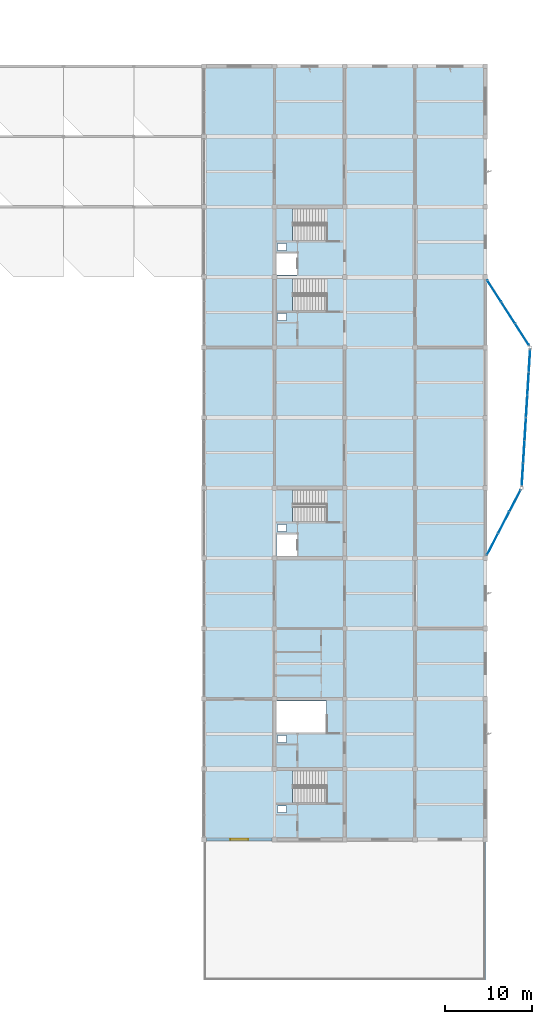
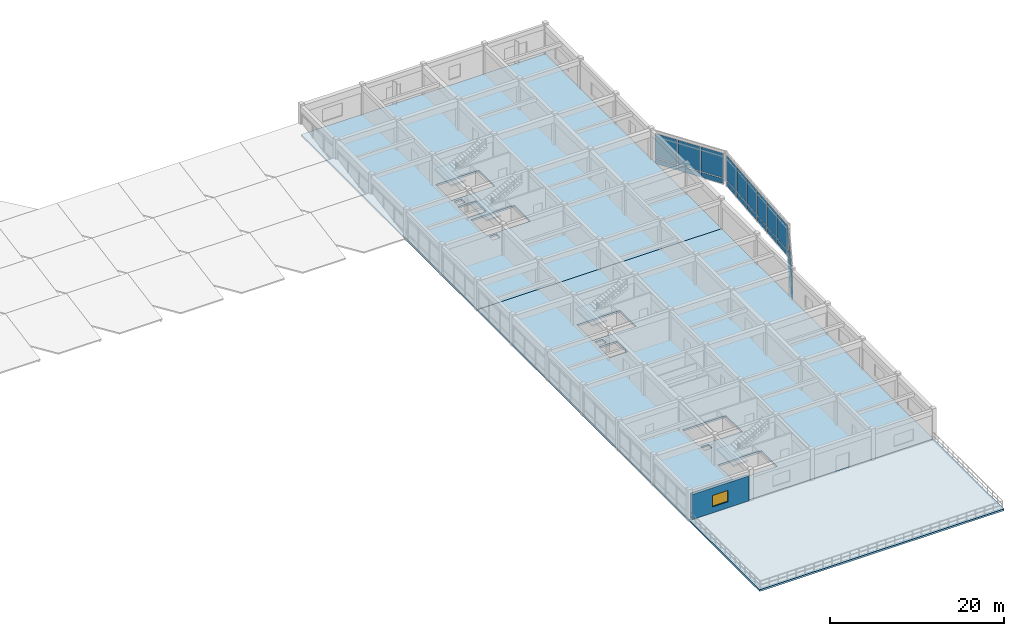
# One storey, part 24 of 33: 24 plates, 7 slabs, 1 wall, 1 window, 1 opening, 8 elements without a shape of their own.
"""IFC4 building model written with IfcOpenShell, lengths in metres."""

from ifc_helpers import new_model, si_unit, direction, frame, frame_2d, origin, origin_2d, place, context, subcontext, project, spatial, polyline, rectangle, outline, extrude, material, layer, layer_set, type_object, element, fill, aggregate, save


model = new_model("IFC4")

# Units and contexts
model_context = context("Model", 3, precision=1e-05, world=origin(), true_north=direction((0.0, 1.0)))
body_context = subcontext(model_context, "Body", "Model", "MODEL_VIEW")
ifc_project = project(units=[si_unit("LENGTHUNIT", "METRE"), si_unit("AREAUNIT", "SQUARE_METRE"), si_unit("VOLUMEUNIT", "CUBIC_METRE"), si_unit("PLANEANGLEUNIT", "RADIAN"), si_unit("MASSUNIT", "GRAM", prefix="KILO")], contexts=[model_context])

# Site, building, storey
site_placement = place(None, origin())
site = spatial("IfcSite", under=ifc_project, at=site_placement, CompositionType="ELEMENT")
building_placement = place(site_placement, origin())
building = spatial("IfcBuilding", under=site, at=building_placement, Name="Vaudrelin Polytechnic", CompositionType="ELEMENT")
storey_placement = place(building_placement, frame((0.0, 0.0, 27.3701171875)))
storey = spatial("IfcBuildingStorey", under=building, at=storey_placement, Name="L06", CompositionType="ELEMENT", Elevation=27.3701171875)

# Curtain wall, plates
ifc_material_1 = material(Name="Thermally broken anodised aluminium AA 6063-T6 and low-e triple glazing", Category="aluminium")
ifc_layer_1 = layer(ifc_material_1, 0.199951171875)
ifc_layer_set_1 = layer_set([ifc_layer_1], Name="Thermally broken anodised aluminium AA 6063-T6 and low-e triple glazing")
curtain_wall_type = type_object("IfcCurtainWallType", Name="CW-CW-LAB", PredefinedType="USERDEFINED", material=ifc_layer_set_1)
curtain_wall_1_placement = place(storey_placement, origin())
curtain_wall_1 = element("IfcCurtainWall", 1, at=curtain_wall_1_placement, inside=storey, type_object=curtain_wall_type, Name="Curtain wall L06 E_OR2_1_0", ObjectType="CURTAIN WALL", PredefinedType="USERDEFINED")
ifc_material_2 = material(Name="Insulated ceramic-frit spandrel glass panel", Category="glass")
ifc_layer_2 = layer(ifc_material_2, 0.052001953125)
ifc_layer_set_2 = layer_set([ifc_layer_2], Name="Insulated ceramic-frit spandrel glass panel")
plate_type_1 = type_object("IfcPlateType", Name="PLT-GLZ-SPAND", PredefinedType="CURTAIN_PANEL", material=ifc_layer_set_2)
plate_1_placement = place(storey_placement, frame((170.931640625, 66.404052734375, -0.5400390625), z_axis=(0.0, 0.0, 1.0), x_axis=(0.460323021208, 0.887751494589, 0.0)))
plate_1 = element("IfcPlate", 2, at=plate_1_placement, type_object=plate_type_1, Name="E_OR2_1_0 spandrel panel 1", PredefinedType="CURTAIN_PANEL", context=body_context, shape_type="SweptSolid", body=[
    extrude(rectangle(XDim=2.72412109375, YDim=0.052001953125, at=origin_2d()), origin(), (0.0, 0.0, 1.0), 0.699951171875),
])
plate_2_placement = place(storey_placement, frame((172.231689453125, 68.9111328125, -0.5400390625), z_axis=(0.0, 0.0, 1.0), x_axis=(0.460323021208, 0.887751494589, 0.0)))
plate_2 = element("IfcPlate", 3, at=plate_2_placement, type_object=plate_type_1, Name="E_OR2_1_0 spandrel panel 2", PredefinedType="CURTAIN_PANEL", context=body_context, shape_type="SweptSolid", body=[
    extrude(rectangle(XDim=2.72412109375, YDim=0.052001953125, at=origin_2d()), origin(), (0.0, 0.0, 1.0), 0.699951171875),
])
plate_3_placement = place(storey_placement, frame((173.53173828125, 71.41845703125, -0.5400390625), z_axis=(0.0, 0.0, 1.0), x_axis=(0.460323021208, 0.887751494589, 0.0)))
plate_3 = element("IfcPlate", 4, at=plate_3_placement, type_object=plate_type_1, Name="E_OR2_1_0 spandrel panel 3", PredefinedType="CURTAIN_PANEL", context=body_context, shape_type="SweptSolid", body=[
    extrude(rectangle(XDim=2.72412109375, YDim=0.052001953125, at=origin_2d()), origin(), (0.0, 0.0, 1.0), 0.699951171875),
])

curtain_wall_2_placement = place(storey_placement, origin())
curtain_wall_2 = element("IfcCurtainWall", 5, at=curtain_wall_2_placement, inside=storey, type_object=curtain_wall_type, Name="Curtain wall L06 E_OR2_2_0", ObjectType="CURTAIN WALL", PredefinedType="USERDEFINED")
plate_4_placement = place(storey_placement, frame((174.3955078125, 74.44775390625, -0.5400390625), z_axis=(0.0, 0.0, 1.0), x_axis=(0.061604568165, 0.998100634797, 0.0)))
plate_4 = element("IfcPlate", 6, at=plate_4_placement, type_object=plate_type_1, Name="E_OR2_2_0 spandrel panel 1", PredefinedType="CURTAIN_PANEL", context=body_context, shape_type="SweptSolid", body=[
    extrude(rectangle(XDim=2.52587890625, YDim=0.052001953125, at=origin_2d()), origin(), (0.0, 0.0, 1.0), 0.699951171875),
])
plate_5_placement = place(storey_placement, frame((174.557373046875, 77.068603515625, -0.5400390625), z_axis=(0.0, 0.0, 1.0), x_axis=(0.061604568165, 0.998100634797, 0.0)))
plate_5 = element("IfcPlate", 7, at=plate_5_placement, type_object=plate_type_1, Name="E_OR2_2_0 spandrel panel 2", PredefinedType="CURTAIN_PANEL", context=body_context, shape_type="SweptSolid", body=[
    extrude(rectangle(XDim=2.52587890625, YDim=0.052001953125, at=origin_2d()), origin(), (0.0, 0.0, 1.0), 0.699951171875),
])
plate_6_placement = place(storey_placement, frame((174.718994140625, 79.689453125, -0.5400390625), z_axis=(0.0, 0.0, 1.0), x_axis=(0.061604568165, 0.998100634797, 0.0)))
plate_6 = element("IfcPlate", 8, at=plate_6_placement, type_object=plate_type_1, Name="E_OR2_2_0 spandrel panel 3", PredefinedType="CURTAIN_PANEL", context=body_context, shape_type="SweptSolid", body=[
    extrude(rectangle(XDim=2.52587890625, YDim=0.052001953125, at=origin_2d()), origin(), (0.0, 0.0, 1.0), 0.699951171875),
])

curtain_wall_3_placement = place(storey_placement, origin())
curtain_wall_3 = element("IfcCurtainWall", 9, at=curtain_wall_3_placement, inside=storey, type_object=curtain_wall_type, Name="Curtain wall L06 E_OR2_2_1", ObjectType="CURTAIN WALL", PredefinedType="USERDEFINED")
plate_7_placement = place(storey_placement, frame((174.880859375, 82.310546875, -0.5400390625), z_axis=(0.0, 0.0, 1.0), x_axis=(0.061604568165, 0.998100634797, 0.0)))
plate_7 = element("IfcPlate", 10, at=plate_7_placement, type_object=plate_type_1, Name="E_OR2_2_1 spandrel panel 1", PredefinedType="CURTAIN_PANEL", context=body_context, shape_type="SweptSolid", body=[
    extrude(rectangle(XDim=2.52587890625, YDim=0.052001953125, at=origin_2d()), origin(), (0.0, 0.0, 1.0), 0.699951171875),
])
plate_8_placement = place(storey_placement, frame((175.042724609375, 84.931396484375, -0.5400390625), z_axis=(0.0, 0.0, 1.0), x_axis=(0.061604568165, 0.998100634797, 0.0)))
plate_8 = element("IfcPlate", 11, at=plate_8_placement, type_object=plate_type_1, Name="E_OR2_2_1 spandrel panel 2", PredefinedType="CURTAIN_PANEL", context=body_context, shape_type="SweptSolid", body=[
    extrude(rectangle(XDim=2.52587890625, YDim=0.052001953125, at=origin_2d()), origin(), (0.0, 0.0, 1.0), 0.699951171875),
])
plate_9_placement = place(storey_placement, frame((175.204345703125, 87.55224609375, -0.5400390625), z_axis=(0.0, 0.0, 1.0), x_axis=(0.061604568165, 0.998100634797, 0.0)))
plate_9 = element("IfcPlate", 12, at=plate_9_placement, type_object=plate_type_1, Name="E_OR2_2_1 spandrel panel 3", PredefinedType="CURTAIN_PANEL", context=body_context, shape_type="SweptSolid", body=[
    extrude(rectangle(XDim=2.52587890625, YDim=0.052001953125, at=origin_2d()), origin(), (0.0, 0.0, 1.0), 0.699951171875),
])

curtain_wall_4_placement = place(storey_placement, origin())
curtain_wall_4 = element("IfcCurtainWall", 13, at=curtain_wall_4_placement, inside=storey, type_object=curtain_wall_type, Name="Curtain wall L06 E_OR2_3_0", ObjectType="CURTAIN WALL", PredefinedType="USERDEFINED")
plate_10_placement = place(storey_placement, frame((174.3505859375, 90.578857421875, -0.5400390625), z_axis=(0.0, 0.0, 1.0), x_axis=(-0.540228204344, 0.841518560242, 0.0)))
plate_10 = element("IfcPlate", 14, at=plate_10_placement, type_object=plate_type_1, Name="E_OR2_3_0 spandrel panel 1", PredefinedType="CURTAIN_PANEL", context=body_context, shape_type="SweptSolid", body=[
    extrude(rectangle(XDim=2.882568359375, YDim=0.052001953125, at=origin_2d()), origin(), (0.0, 0.0, 1.0), 0.699951171875),
])
plate_11_placement = place(storey_placement, frame((172.739501953125, 93.0888671875, -0.5400390625), z_axis=(0.0, 0.0, 1.0), x_axis=(-0.540228204344, 0.841518560242, 0.0)))
plate_11 = element("IfcPlate", 15, at=plate_11_placement, type_object=plate_type_1, Name="E_OR2_3_0 spandrel panel 2", PredefinedType="CURTAIN_PANEL", context=body_context, shape_type="SweptSolid", body=[
    extrude(rectangle(XDim=2.882568359375, YDim=0.052001953125, at=origin_2d()), origin(), (0.0, 0.0, 1.0), 0.699951171875),
])
plate_12_placement = place(storey_placement, frame((171.128173828125, 95.5986328125, -0.5400390625), z_axis=(0.0, 0.0, 1.0), x_axis=(-0.540228204344, 0.841518560242, 0.0)))
plate_12 = element("IfcPlate", 16, at=plate_12_placement, type_object=plate_type_1, Name="E_OR2_3_0 spandrel panel 3", PredefinedType="CURTAIN_PANEL", context=body_context, shape_type="SweptSolid", body=[
    extrude(rectangle(XDim=2.882568359375, YDim=0.052001953125, at=origin_2d()), origin(), (0.0, 0.0, 1.0), 0.699951171875),
])

# Plate
ifc_material_3 = material(Name="Triple low-e argon insulated glazing unit", Category="glass")
ifc_layer_3 = layer(ifc_material_3, 0.0439453125)
ifc_layer_set_3 = layer_set([ifc_layer_3], Name="Triple low-e argon insulated glazing unit")
plate_type_2 = type_object("IfcPlateType", Name="PLT-GLZ-TRIPLE", PredefinedType="CURTAIN_PANEL", material=ifc_layer_set_3)
plate_13_placement = place(storey_placement, frame((170.931640625, 66.404052734375, 0.27001953125), z_axis=(0.0, 0.0, 1.0), x_axis=(0.460323021208, 0.887751494589, 0.0)))
plate_13 = element("IfcPlate", 17, at=plate_13_placement, type_object=plate_type_2, Name="E_OR2_1_0 vision panel 1", PredefinedType="CURTAIN_PANEL", context=body_context, shape_type="SweptSolid", body=[
    extrude(rectangle(XDim=2.72412109375, YDim=0.0439453125, at=origin_2d()), origin(), (0.0, 0.0, 1.0), 3.43994140625),
])

plate_14_placement = place(storey_placement, frame((172.231689453125, 68.9111328125, 0.27001953125), z_axis=(0.0, 0.0, 1.0), x_axis=(0.460323021208, 0.887751494589, 0.0)))
plate_14 = element("IfcPlate", 18, at=plate_14_placement, type_object=plate_type_2, Name="E_OR2_1_0 vision panel 2", PredefinedType="CURTAIN_PANEL", context=body_context, shape_type="SweptSolid", body=[
    extrude(rectangle(XDim=2.72412109375, YDim=0.0439453125, at=origin_2d()), origin(), (0.0, 0.0, 1.0), 3.43994140625),
])

plate_15_placement = place(storey_placement, frame((173.53173828125, 71.41845703125, 0.27001953125), z_axis=(0.0, 0.0, 1.0), x_axis=(0.460323021208, 0.887751494589, 0.0)))
plate_15 = element("IfcPlate", 19, at=plate_15_placement, type_object=plate_type_2, Name="E_OR2_1_0 vision panel 3", PredefinedType="CURTAIN_PANEL", context=body_context, shape_type="SweptSolid", body=[
    extrude(rectangle(XDim=2.72412109375, YDim=0.0439453125, at=origin_2d()), origin(), (0.0, 0.0, 1.0), 3.43994140625),
])

aggregate(curtain_wall_1, [plate_1, plate_13, plate_2, plate_14, plate_3, plate_15])

plate_16_placement = place(storey_placement, frame((174.3955078125, 74.44775390625, 0.27001953125), z_axis=(0.0, 0.0, 1.0), x_axis=(0.061604568165, 0.998100634797, 0.0)))
plate_16 = element("IfcPlate", 20, at=plate_16_placement, type_object=plate_type_2, Name="E_OR2_2_0 vision panel 1", PredefinedType="CURTAIN_PANEL", context=body_context, shape_type="SweptSolid", body=[
    extrude(rectangle(XDim=2.52587890625, YDim=0.0439453125, at=origin_2d()), origin(), (0.0, 0.0, 1.0), 3.43994140625),
])

plate_17_placement = place(storey_placement, frame((174.557373046875, 77.068603515625, 0.27001953125), z_axis=(0.0, 0.0, 1.0), x_axis=(0.061604568165, 0.998100634797, 0.0)))
plate_17 = element("IfcPlate", 21, at=plate_17_placement, type_object=plate_type_2, Name="E_OR2_2_0 vision panel 2", PredefinedType="CURTAIN_PANEL", context=body_context, shape_type="SweptSolid", body=[
    extrude(rectangle(XDim=2.52587890625, YDim=0.0439453125, at=origin_2d()), origin(), (0.0, 0.0, 1.0), 3.43994140625),
])

plate_18_placement = place(storey_placement, frame((174.718994140625, 79.689453125, 0.27001953125), z_axis=(0.0, 0.0, 1.0), x_axis=(0.061604568165, 0.998100634797, 0.0)))
plate_18 = element("IfcPlate", 22, at=plate_18_placement, type_object=plate_type_2, Name="E_OR2_2_0 vision panel 3", PredefinedType="CURTAIN_PANEL", context=body_context, shape_type="SweptSolid", body=[
    extrude(rectangle(XDim=2.52587890625, YDim=0.0439453125, at=origin_2d()), origin(), (0.0, 0.0, 1.0), 3.43994140625),
])

aggregate(curtain_wall_2, [plate_4, plate_16, plate_5, plate_17, plate_6, plate_18])

plate_19_placement = place(storey_placement, frame((174.880859375, 82.310546875, 0.27001953125), z_axis=(0.0, 0.0, 1.0), x_axis=(0.061604568165, 0.998100634797, 0.0)))
plate_19 = element("IfcPlate", 23, at=plate_19_placement, type_object=plate_type_2, Name="E_OR2_2_1 vision panel 1", PredefinedType="CURTAIN_PANEL", context=body_context, shape_type="SweptSolid", body=[
    extrude(rectangle(XDim=2.52587890625, YDim=0.0439453125, at=origin_2d()), origin(), (0.0, 0.0, 1.0), 3.43994140625),
])

plate_20_placement = place(storey_placement, frame((175.042724609375, 84.931396484375, 0.27001953125), z_axis=(0.0, 0.0, 1.0), x_axis=(0.061604568165, 0.998100634797, 0.0)))
plate_20 = element("IfcPlate", 24, at=plate_20_placement, type_object=plate_type_2, Name="E_OR2_2_1 vision panel 2", PredefinedType="CURTAIN_PANEL", context=body_context, shape_type="SweptSolid", body=[
    extrude(rectangle(XDim=2.52587890625, YDim=0.0439453125, at=origin_2d()), origin(), (0.0, 0.0, 1.0), 3.43994140625),
])

plate_21_placement = place(storey_placement, frame((175.204345703125, 87.55224609375, 0.27001953125), z_axis=(0.0, 0.0, 1.0), x_axis=(0.061604568165, 0.998100634797, 0.0)))
plate_21 = element("IfcPlate", 25, at=plate_21_placement, type_object=plate_type_2, Name="E_OR2_2_1 vision panel 3", PredefinedType="CURTAIN_PANEL", context=body_context, shape_type="SweptSolid", body=[
    extrude(rectangle(XDim=2.52587890625, YDim=0.0439453125, at=origin_2d()), origin(), (0.0, 0.0, 1.0), 3.43994140625),
])

aggregate(curtain_wall_3, [plate_7, plate_19, plate_8, plate_20, plate_9, plate_21])

plate_22_placement = place(storey_placement, frame((174.3505859375, 90.578857421875, 0.27001953125), z_axis=(0.0, 0.0, 1.0), x_axis=(-0.540228204344, 0.841518560242, 0.0)))
plate_22 = element("IfcPlate", 26, at=plate_22_placement, type_object=plate_type_2, Name="E_OR2_3_0 vision panel 1", PredefinedType="CURTAIN_PANEL", context=body_context, shape_type="SweptSolid", body=[
    extrude(rectangle(XDim=2.882568359375, YDim=0.0439453125, at=origin_2d()), origin(), (0.0, 0.0, 1.0), 3.43994140625),
])

plate_23_placement = place(storey_placement, frame((172.739501953125, 93.0888671875, 0.27001953125), z_axis=(0.0, 0.0, 1.0), x_axis=(-0.540228204344, 0.841518560242, 0.0)))
plate_23 = element("IfcPlate", 27, at=plate_23_placement, type_object=plate_type_2, Name="E_OR2_3_0 vision panel 2", PredefinedType="CURTAIN_PANEL", context=body_context, shape_type="SweptSolid", body=[
    extrude(rectangle(XDim=2.882568359375, YDim=0.0439453125, at=origin_2d()), origin(), (0.0, 0.0, 1.0), 3.43994140625),
])

plate_24_placement = place(storey_placement, frame((171.128173828125, 95.5986328125, 0.27001953125), z_axis=(0.0, 0.0, 1.0), x_axis=(-0.540228204344, 0.841518560242, 0.0)))
plate_24 = element("IfcPlate", 28, at=plate_24_placement, type_object=plate_type_2, Name="E_OR2_3_0 vision panel 3", PredefinedType="CURTAIN_PANEL", context=body_context, shape_type="SweptSolid", body=[
    extrude(rectangle(XDim=2.882568359375, YDim=0.0439453125, at=origin_2d()), origin(), (0.0, 0.0, 1.0), 3.43994140625),
])

aggregate(curtain_wall_4, [plate_10, plate_22, plate_11, plate_23, plate_12, plate_24])

# Stair, slab
ifc_material_4 = material(Name="Concrete 35 MPa", Category="concrete")
stair_type = type_object("IfcStairType", Name="STR-ST-CORE", PredefinedType="TWO_STRAIGHT_RUN_STAIR", material=ifc_material_4)
stair_1_placement = place(storey_placement, origin())
stair_1 = element("IfcStair", 29, at=stair_1_placement, inside=storey, type_object=stair_type, Name="Exit stair ST-06-L06", PredefinedType="TWO_STRAIGHT_RUN_STAIR")
ifc_layer_4 = layer(ifc_material_4, 0.219970703125)
ifc_layer_set_4 = layer_set([ifc_layer_4], Name="Concrete 35 MPa")
slab_type_1 = type_object("IfcSlabType", Name="SLB-LND220", PredefinedType="LANDING", material=ifc_layer_set_4)
slab_1_placement = place(storey_placement, frame((0.0, 0.0, 1.989990234375)))
slab_1 = element("IfcSlab", 30, at=slab_1_placement, type_object=slab_type_1, Name="ST-06-L06 landing 1", PredefinedType="LANDING", context=body_context, shape_type="SweptSolid", body=[
    extrude(outline(polyline([(145.93994140625, 101.360107421875), (147.909912109375, 101.360107421875), (147.909912109375, 105.199951171875), (145.93994140625, 105.199951171875), (145.93994140625, 101.360107421875)])), origin(), (0.0, 0.0, 1.0), 0.219970703125),
])
aggregate(stair_1, [slab_1])

stair_2_placement = place(storey_placement, origin())
stair_2 = element("IfcStair", 31, at=stair_2_placement, inside=storey, type_object=stair_type, Name="Exit stair ST-07-L06", PredefinedType="TWO_STRAIGHT_RUN_STAIR")
slab_2_placement = place(storey_placement, frame((0.0, 0.0, 1.989990234375)))
slab_2 = element("IfcSlab", 32, at=slab_2_placement, type_object=slab_type_1, Name="ST-07-L06 landing 1", PredefinedType="LANDING", context=body_context, shape_type="SweptSolid", body=[
    extrude(outline(polyline([(145.93994140625, 68.9599609375), (147.909912109375, 68.9599609375), (147.909912109375, 72.800048828125), (145.93994140625, 72.800048828125), (145.93994140625, 68.9599609375)])), origin(), (0.0, 0.0, 1.0), 0.219970703125),
])
aggregate(stair_2, [slab_2])

stair_3_placement = place(storey_placement, origin())
stair_3 = element("IfcStair", 33, at=stair_3_placement, inside=storey, type_object=stair_type, Name="Exit stair ST-08-L06", PredefinedType="TWO_STRAIGHT_RUN_STAIR")
slab_3_placement = place(storey_placement, frame((0.0, 0.0, 1.989990234375)))
slab_3 = element("IfcSlab", 34, at=slab_3_placement, type_object=slab_type_1, Name="ST-08-L06 landing 1", PredefinedType="LANDING", context=body_context, shape_type="SweptSolid", body=[
    extrude(outline(polyline([(145.93994140625, 36.56005859375), (147.909912109375, 36.56005859375), (147.909912109375, 40.39990234375), (145.93994140625, 40.39990234375), (145.93994140625, 36.56005859375)])), origin(), (0.0, 0.0, 1.0), 0.219970703125),
])
aggregate(stair_3, [slab_3])

stair_4_placement = place(storey_placement, origin())
stair_4 = element("IfcStair", 35, at=stair_4_placement, inside=storey, type_object=stair_type, Name="Exit stair ST-13-L06", PredefinedType="TWO_STRAIGHT_RUN_STAIR")
slab_4_placement = place(storey_placement, frame((0.0, 0.0, 1.989990234375)))
slab_4 = element("IfcSlab", 36, at=slab_4_placement, type_object=slab_type_1, Name="ST-13-L06 landing 1", PredefinedType="LANDING", context=body_context, shape_type="SweptSolid", body=[
    extrude(outline(polyline([(145.93994140625, 93.260009765625), (147.909912109375, 93.260009765625), (147.909912109375, 97.10009765625), (145.93994140625, 97.10009765625), (145.93994140625, 93.260009765625)])), origin(), (0.0, 0.0, 1.0), 0.219970703125),
])
aggregate(stair_4, [slab_4])

# Slabs
ifc_layer_5 = layer(ifc_material_4, 0.260009765625)
ifc_layer_set_5 = layer_set([ifc_layer_5], Name="Concrete 35 MPa")
slab_type_2 = type_object("IfcSlabType", Name="SLB-SL-F260", PredefinedType="FLOOR", material=ifc_layer_set_5)
slab_5_placement = place(storey_placement, frame((0.0, 0.0, -0.260009765625)))
element("IfcSlab", 37, at=slab_5_placement, inside=storey, type_object=slab_type_2, Name="L06 floor slab V4-S", PredefinedType="FLOOR", context=body_context, shape_type="SweptSolid", body=[
    extrude(outline(polyline([(137.699951171875, 32.39990234375), (170.10009765625, 32.39990234375), (170.10009765625, 81.0), (137.699951171875, 81.0), (137.699951171875, 32.39990234375)]), holes=[polyline([(146.050048828125, 69.010009765625), (151.800048828125, 69.010009765625), (151.800048828125, 72.64990234375), (146.050048828125, 72.64990234375), (146.050048828125, 69.010009765625)]), polyline([(146.050048828125, 65.050048828125), (148.3798828125, 65.050048828125), (148.3798828125, 67.530029296875), (146.050048828125, 67.530029296875), (146.050048828125, 65.050048828125)]), polyline([(146.179931640625, 67.8798828125), (147.179931640625, 67.8798828125), (147.179931640625, 68.679931640625), (146.179931640625, 68.679931640625), (146.179931640625, 67.8798828125)]), polyline([(146.050048828125, 36.610107421875), (151.800048828125, 36.610107421875), (151.800048828125, 40.25), (146.050048828125, 40.25), (146.050048828125, 36.610107421875)]), polyline([(146.179931640625, 35.47998046875), (147.179931640625, 35.47998046875), (147.179931640625, 36.280029296875), (146.179931640625, 36.280029296875), (146.179931640625, 35.47998046875)]), polyline([(146.050048828125, 44.7099609375), (151.800048828125, 44.7099609375), (151.800048828125, 48.35009765625), (146.050048828125, 48.35009765625), (146.050048828125, 44.7099609375)]), polyline([(146.179931640625, 43.580078125), (147.179931640625, 43.580078125), (147.179931640625, 44.3798828125), (146.179931640625, 44.3798828125), (146.179931640625, 43.580078125)])]), origin(), (0.0, 0.0, 1.0), 0.260009765625),
])
slab_6_placement = place(storey_placement, frame((0.0, 0.0, -0.260009765625)))
element("IfcSlab", 38, at=slab_6_placement, inside=storey, type_object=slab_type_2, Name="L06 floor slab V4-N", PredefinedType="FLOOR", context=body_context, shape_type="SweptSolid", body=[
    extrude(outline(polyline([(137.699951171875, 81.0), (170.10009765625, 81.0), (170.10009765625, 121.5), (137.699951171875, 121.5), (137.699951171875, 81.0)]), holes=[polyline([(146.050048828125, 101.409912109375), (151.800048828125, 101.409912109375), (151.800048828125, 105.050048828125), (146.050048828125, 105.050048828125), (146.050048828125, 101.409912109375)]), polyline([(146.050048828125, 97.449951171875), (148.3798828125, 97.449951171875), (148.3798828125, 99.929931640625), (146.050048828125, 99.929931640625), (146.050048828125, 97.449951171875)]), polyline([(146.179931640625, 100.280029296875), (147.179931640625, 100.280029296875), (147.179931640625, 101.080078125), (146.179931640625, 101.080078125), (146.179931640625, 100.280029296875)]), polyline([(146.050048828125, 93.31005859375), (151.800048828125, 93.31005859375), (151.800048828125, 96.949951171875), (146.050048828125, 96.949951171875), (146.050048828125, 93.31005859375)]), polyline([(146.179931640625, 92.179931640625), (147.179931640625, 92.179931640625), (147.179931640625, 92.97998046875), (146.179931640625, 92.97998046875), (146.179931640625, 92.179931640625)])]), origin(), (0.0, 0.0, 1.0), 0.260009765625),
])
ifc_layer_6 = layer(ifc_material_4, 0.25)
ifc_layer_set_6 = layer_set([ifc_layer_6], Name="Concrete 35 MPa")
slab_type_3 = type_object("IfcSlabType", Name="SLB-SL-TER250", PredefinedType="FLOOR", material=ifc_layer_set_6)
slab_7_placement = place(storey_placement, frame((0.0, 0.0, -0.25)))
element("IfcSlab", 39, at=slab_7_placement, inside=storey, type_object=slab_type_3, Name="L06 terrace slab V4-TER", PredefinedType="FLOOR", context=body_context, shape_type="SweptSolid", body=[
    extrude(outline(polyline([(137.699951171875, 16.199951171875), (170.10009765625, 16.199951171875), (170.10009765625, 32.39990234375), (137.699951171875, 32.39990234375), (137.699951171875, 16.199951171875)])), origin(), (0.0, 0.0, 1.0), 0.25),
])

# Wall, opening, window
ifc_material_5 = material(Name="Precast concrete 35 MPa with terracotta baguette screen", Category="masonry")
ifc_layer_7 = layer(ifc_material_5, 0.35009765625)
ifc_layer_set_7 = layer_set([ifc_layer_7], Name="Precast concrete 35 MPa with terracotta baguette screen")
wall_type = type_object("IfcWallType", Name="WAL-EW-TERR350", PredefinedType="STANDARD", material=ifc_layer_set_7)
wall_placement = place(storey_placement, frame((137.972900390625, 32.39990234375, 0.0), z_axis=(0.0, 0.0, 1.0), x_axis=(1.0, 0.0, 0.0)))
wall = element("IfcWall", 40, at=wall_placement, inside=storey, type_object=wall_type, Name="Exterior wall L06 S_V4_00", PredefinedType="STANDARD", context=body_context, shape_type="SweptSolid", body=[
    extrude(rectangle(XDim=7.55419921875, YDim=0.35009765625, at=frame_2d((3.777099609375, 0.0))), origin(), (0.0, 0.0, 1.0), 3.511962890625),
])
opening_placement = place(wall_placement, frame((2.751953125, 0.0, 0.85009765625)))
opening = element("IfcOpeningElement", 41, at=opening_placement, cuts=wall, Name="Opening W-L06-S-V4-01", PredefinedType="OPENING", context=body_context, shape_type="SweptSolid", body=[
    extrude(rectangle(XDim=2.050048828125, YDim=1.60009765625, at=frame_2d((1.02490234375, 0.800048828125))), frame((0.0, 0.18505859375, 0.0), z_axis=(0.0, -1.0, 0.0), x_axis=(1.0, 0.0, 0.0)), (0.0, 0.0, 1.0), 0.3701171875),
])
ifc_material_6 = material(Name="Thermally broken aluminium frame with triple low-e glazing", Category="aluminium")
window_type = type_object("IfcWindowType", Name="WIN-WN-43", PartitioningType="SINGLE_PANEL", PredefinedType="WINDOW", material=ifc_material_6)
window_placement = place(opening_placement, origin())
window = element("IfcWindow", 42, at=window_placement, inside=storey, type_object=window_type, Name="Facade window L06-S_V4_00", OverallHeight=1.60009765625, OverallWidth=2.050048828125, PartitioningType="SINGLE_PANEL", PredefinedType="WINDOW", context=body_context, shape_type="SweptSolid", body=[
    extrude(rectangle(XDim=2.050048828125, YDim=1.60009765625, at=frame_2d((1.02490234375, 0.800048828125))), frame((0.0, 0.030029296875, 0.0), z_axis=(0.0, -1.0, 0.0), x_axis=(1.0, 0.0, 0.0)), (0.0, 0.0, 1.0), 0.06005859375),
])
fill(opening, window)

save(model, "model.ifc")
